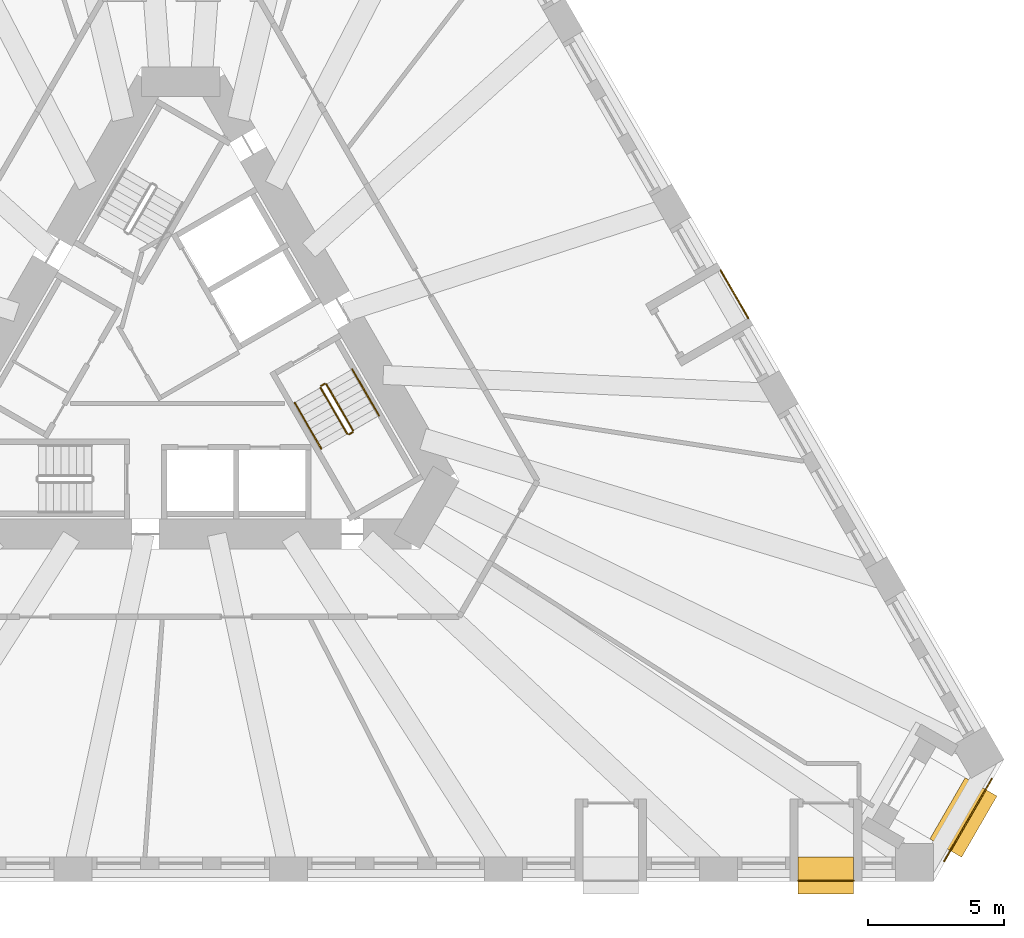
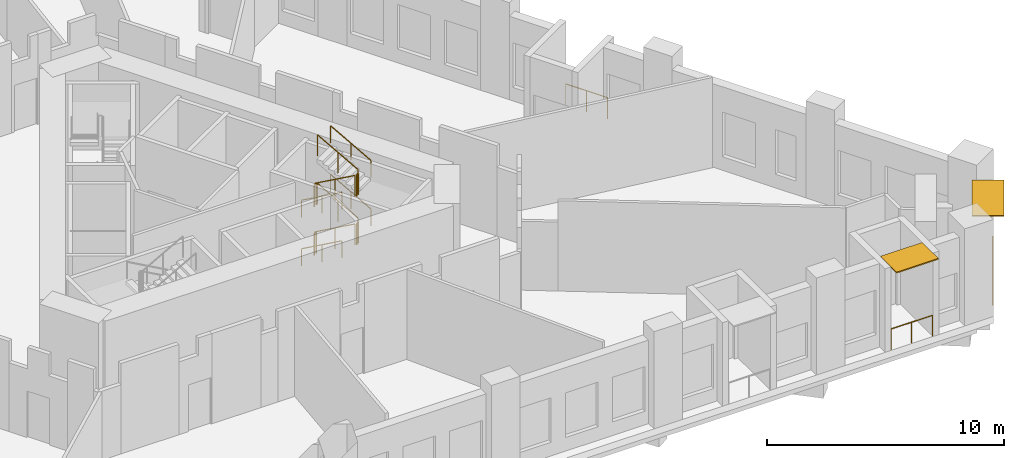
# One storey, part 11 of 12: 15 railings, 2 shading devices.
"""IFC4 building model written with IfcOpenShell, lengths in metres."""

from ifc_helpers import new_model, si_unit, direction, frame, origin, origin_2d, place, context, subcontext, project, spatial, rectangle, circle, extrude, material, layer, layer_set, type_object, element, save


model = new_model("IFC4")

# Units and contexts
model_context = context("Model", 3, precision=1e-05, world=origin(), true_north=direction((0.0, 1.0)))
body_context = subcontext(model_context, "Body", "Model", "MODEL_VIEW")
ifc_project = project(units=[si_unit("LENGTHUNIT", "METRE"), si_unit("AREAUNIT", "SQUARE_METRE"), si_unit("VOLUMEUNIT", "CUBIC_METRE"), si_unit("PLANEANGLEUNIT", "RADIAN"), si_unit("MASSUNIT", "GRAM", prefix="KILO")], contexts=[model_context])

# Site, building, storey
site_placement = place(None, origin())
site = spatial("IfcSite", under=ifc_project, at=site_placement, CompositionType="ELEMENT")
building_placement = place(site_placement, origin())
building = spatial("IfcBuilding", under=site, at=building_placement, Name="Tramontana Tower", CompositionType="ELEMENT")
storey_placement = place(building_placement, frame((0.0, 0.0, 25.0)))
storey = spatial("IfcBuildingStorey", under=building, at=storey_placement, Name="L04", CompositionType="ELEMENT", Elevation=25.0)

# Railings
ifc_material_1 = material(Name="Laminated glass balustrade", Category="glass")
railing_type_1 = type_object("IfcRailingType", Name="GD1 Loggia glass balustrade 1100", PredefinedType="BALUSTRADE", material=ifc_material_1)
railing_1_placement = place(storey_placement, frame((22.734130859375, -18.969970703125, 0.0)))
element("IfcRailing", 1, at=railing_1_placement, inside=storey, type_object=railing_type_1, Name="Loggia balustrade L04 G0S1.19", PredefinedType="BALUSTRADE", context=body_context, shape_type="SweptSolid", body=[
    extrude(circle(Radius=0.02392578125, at=origin_2d()), frame((0.0, 0.0, 1.076171875), z_axis=(1.0, 0.0, 0.0), x_axis=(0.0, 1.0, 0.0)), (0.0, 0.0, 1.0), 2.039306640625),
    extrude(circle(Radius=0.02099609375, at=origin_2d()), origin(), (0.0, 0.0, 1.0), 1.052001953125),
    extrude(circle(Radius=0.02099609375, at=origin_2d()), frame((1.01953125, 0.0, 0.0)), (0.0, 0.0, 1.0), 1.052001953125),
    extrude(circle(Radius=0.02099609375, at=origin_2d()), frame((2.039306640625, 0.0, 0.0)), (0.0, 0.0, 1.0), 1.052001953125),
])
railing_2_placement = place(storey_placement, frame((20.897216796875, 1.744873046875, 0.0)))
element("IfcRailing", 2, at=railing_2_placement, inside=storey, type_object=railing_type_1, Name="Loggia balustrade L04 G0S2.7", PredefinedType="BALUSTRADE", context=body_context, shape_type="SweptSolid", body=[
    extrude(circle(Radius=0.02392578125, at=origin_2d()), frame((0.0, 0.0, 1.076171875), z_axis=(-0.499950448838, 0.866054010271, 0.0), x_axis=(-0.866054010271, -0.499950448838, 0.0)), (0.0, 0.0, 1.0), 2.039306640625),
    extrude(circle(Radius=0.02099609375, at=origin_2d()), origin(), (0.0, 0.0, 1.0), 1.052001953125),
    extrude(circle(Radius=0.02099609375, at=origin_2d()), frame((-0.509765625, 0.883056640625, 0.0)), (0.0, 0.0, 1.0), 1.052001953125),
    extrude(circle(Radius=0.02099609375, at=origin_2d()), frame((-1.01953125, 1.76611328125, 0.0)), (0.0, 0.0, 1.0), 1.052001953125),
])
railing_3_placement = place(storey_placement, frame((29.86083984375, -15.219482421875, 0.0)))
element("IfcRailing", 3, at=railing_3_placement, inside=storey, type_object=railing_type_1, Name="Corner loggia balustrade L04 K02", PredefinedType="BALUSTRADE", context=body_context, shape_type="SweptSolid", body=[
    extrude(circle(Radius=0.02392578125, at=origin_2d()), frame((0.0, 0.0, 1.076171875), z_axis=(-0.500010275428, -0.866019471182, 0.0), x_axis=(0.866019471182, -0.500010275428, 0.0)), (0.0, 0.0, 1.0), 3.5),
    extrude(circle(Radius=0.02099609375, at=origin_2d()), origin(), (0.0, 0.0, 1.0), 1.052001953125),
    extrude(circle(Radius=0.02099609375, at=origin_2d()), frame((-0.583251953125, -1.01025390625, 0.0)), (0.0, 0.0, 1.0), 1.052001953125),
    extrude(circle(Radius=0.02099609375, at=origin_2d()), frame((-1.166748046875, -2.020751953125, 0.0)), (0.0, 0.0, 1.0), 1.052001953125),
    extrude(circle(Radius=0.02099609375, at=origin_2d()), frame((-1.75, -3.031005859375, 0.0)), (0.0, 0.0, 1.0), 1.052001953125),
])

# Shading devices
ifc_material_2 = material(Name="Precast concrete 60 MPa", Category="concrete")
ifc_layer_1 = layer(ifc_material_2, 0.06005859375)
ifc_layer_set_1 = layer_set([ifc_layer_1], Name="SS1 Stone sunshade blade 60")
shading_device_type_1 = type_object("IfcShadingDeviceType", Name="SS1 Stone sunshade blade 60", PredefinedType="USERDEFINED", material=ifc_layer_set_1)
shading_device_1_placement = place(storey_placement, frame((23.75390625, -18.77490234375, 4.239990234375), z_axis=(0.0, 0.0, 1.0), x_axis=(1.0, 0.0, 0.0)))
element("IfcShadingDevice", 4, at=shading_device_1_placement, inside=storey, type_object=shading_device_type_1, Name="Sunshade L04 G0S1.19", ObjectType="SUNSHADE", PredefinedType="USERDEFINED", context=body_context, shape_type="SweptSolid", body=[
    extrude(rectangle(XDim=2.039306640625, YDim=1.35009765625, at=origin_2d()), origin(), (0.0, 0.0, 1.0), 0.06005859375),
])
ifc_material_3 = material(Name="Precast concrete 60 MPa", Category="concrete")
ifc_layer_2 = layer(ifc_material_3, 0.070068359375)
ifc_layer_set_2 = layer_set([ifc_layer_2], Name="SS2 Stone sunshade blade 70")
shading_device_type_2 = type_object("IfcShadingDeviceType", Name="SS2 Stone sunshade blade 70", PredefinedType="USERDEFINED", material=ifc_layer_set_2)
shading_device_2_placement = place(storey_placement, frame((28.81689453125, -16.637451171875, 4.22998046875), z_axis=(0.0, 0.0, 1.0), x_axis=(-0.5, -0.866025403784, 0.0)))
element("IfcShadingDevice", 5, at=shading_device_2_placement, inside=storey, type_object=shading_device_type_2, Name="Corner sunshade L04 K02", ObjectType="SUNSHADE", PredefinedType="USERDEFINED", context=body_context, shape_type="SweptSolid", body=[
    extrude(rectangle(XDim=2.60009765625, YDim=1.35009765625, at=origin_2d()), origin(), (0.0, 0.0, 1.0), 0.070068359375),
])

# Railings
ifc_material_4 = material(Name="Painted steel", Category="steel")
railing_type_2 = type_object("IfcRailingType", Name="STAIR GUARD 1100", PredefinedType="GUARDRAIL", material=ifc_material_4)
railing_4_placement = place(storey_placement, frame((5.1474609375, -0.815673828125, 0.15625)))
element("IfcRailing", 6, at=railing_4_placement, inside=storey, type_object=railing_type_2, Name="L04 ST3 stair guard 1", PredefinedType="GUARDRAIL", context=body_context, shape_type="SweptSolid", body=[
    extrude(circle(Radius=0.02392578125, at=origin_2d()), frame((0.0, 0.0, 1.076171875), z_axis=(0.436632306331, -0.756220177781, 0.487322554151), x_axis=(0.866011328839, 0.500024377727, 0.0)), (0.0, 0.0, 1.0), 2.244384765625),
    extrude(circle(Radius=0.02099609375, at=origin_2d()), origin(), (0.0, 0.0, 1.0), 1.052001953125),
    extrude(circle(Radius=0.02099609375, at=origin_2d()), frame((0.489990234375, -0.8486328125, 0.546875)), (0.0, 0.0, 1.0), 1.052001953125),
    extrude(circle(Radius=0.02099609375, at=origin_2d()), frame((0.97998046875, -1.697265625, 1.09375)), (0.0, 0.0, 1.0), 1.052001953125),
])
railing_5_placement = place(storey_placement, frame((6.343994140625, -2.387939453125, 1.40625)))
element("IfcRailing", 7, at=railing_5_placement, inside=storey, type_object=railing_type_2, Name="L04 ST3 stair guard 2", PredefinedType="GUARDRAIL", context=body_context, shape_type="SweptSolid", body=[
    extrude(circle(Radius=0.02392578125, at=origin_2d()), frame((0.0, 0.0, 1.076171875), z_axis=(-0.436632306331, 0.756220177781, 0.487322554151), x_axis=(-0.866011328839, -0.500024377727, 0.0)), (0.0, 0.0, 1.0), 2.244384765625),
    extrude(circle(Radius=0.02099609375, at=origin_2d()), origin(), (0.0, 0.0, 1.0), 1.052001953125),
    extrude(circle(Radius=0.02099609375, at=origin_2d()), frame((-0.489990234375, 0.8486328125, 0.546875)), (0.0, 0.0, 1.0), 1.052001953125),
    extrude(circle(Radius=0.02099609375, at=origin_2d()), frame((-0.97998046875, 1.697265625, 1.09375)), (0.0, 0.0, 1.0), 1.052001953125),
])
railing_6_placement = place(storey_placement, frame((5.1474609375, -0.815673828125, 2.65625)))
element("IfcRailing", 8, at=railing_6_placement, inside=storey, type_object=railing_type_2, Name="L04 ST3 stair guard 3", PredefinedType="GUARDRAIL", context=body_context, shape_type="SweptSolid", body=[
    extrude(circle(Radius=0.02392578125, at=origin_2d()), frame((0.0, 0.0, 1.076171875), z_axis=(0.436632306331, -0.756220177781, 0.487322554151), x_axis=(0.866011328839, 0.500024377727, 0.0)), (0.0, 0.0, 1.0), 2.244384765625),
    extrude(circle(Radius=0.02099609375, at=origin_2d()), origin(), (0.0, 0.0, 1.0), 1.052001953125),
    extrude(circle(Radius=0.02099609375, at=origin_2d()), frame((0.489990234375, -0.8486328125, 0.546875)), (0.0, 0.0, 1.0), 1.052001953125),
    extrude(circle(Radius=0.02099609375, at=origin_2d()), frame((0.97998046875, -1.697265625, 1.09375)), (0.0, 0.0, 1.0), 1.052001953125),
])
railing_7_placement = place(storey_placement, frame((6.343994140625, -2.387939453125, 3.90625)))
element("IfcRailing", 9, at=railing_7_placement, inside=storey, type_object=railing_type_2, Name="L04 ST3 stair guard 4", PredefinedType="GUARDRAIL", context=body_context, shape_type="SweptSolid", body=[
    extrude(circle(Radius=0.02392578125, at=origin_2d()), frame((0.0, 0.0, 1.076171875), z_axis=(-0.436632306331, 0.756220177781, 0.487322554151), x_axis=(-0.866011328839, -0.500024377727, 0.0)), (0.0, 0.0, 1.0), 2.244384765625),
    extrude(circle(Radius=0.02099609375, at=origin_2d()), origin(), (0.0, 0.0, 1.0), 1.052001953125),
    extrude(circle(Radius=0.02099609375, at=origin_2d()), frame((-0.489990234375, 0.8486328125, 0.546875)), (0.0, 0.0, 1.0), 1.052001953125),
    extrude(circle(Radius=0.02099609375, at=origin_2d()), frame((-0.97998046875, 1.697265625, 1.09375)), (0.0, 0.0, 1.0), 1.052001953125),
])
for number, where, name in (
    (10, (6.19580078125, -2.53125, 1.25), "L04 ST3 stair guard 5"),
    (11, (5.165771484375, -0.747314453125, 2.5), "L04 ST3 stair guard 6"),
    (12, (6.19580078125, -2.53125, 3.75), "L04 ST3 stair guard 7"),
    (13, (5.165771484375, -0.747314453125, 0.0), "L04 ST3 stair guard 8"),
):
    element("IfcRailing", number, at=place(storey_placement, frame(where)), inside=storey, type_object=railing_type_2, Name=name, PredefinedType="GUARDRAIL", context=body_context, shape_type="SweptSolid", body=[
        extrude(circle(Radius=0.02392578125, at=origin_2d()), frame((0.0, 0.0, 1.076171875), z_axis=(0.866131372301, 0.499816412211, 0.0), x_axis=(-0.499816412211, 0.866131372301, 0.0)), (0.0, 0.0, 1.0), 0.14990234375),
        extrude(circle(Radius=0.02099609375, at=origin_2d()), origin(), (0.0, 0.0, 1.0), 1.052001953125),
        extrude(circle(Radius=0.02099609375, at=origin_2d()), frame((0.1298828125, 0.074951171875, 0.0)), (0.0, 0.0, 1.0), 1.052001953125),
    ])
ifc_material_5 = material(Name="Painted steel", Category="steel")
railing_type_3 = type_object("IfcRailingType", Name="STAIR HANDRAIL 900", PredefinedType="HANDRAIL", material=ifc_material_5)
railing_8_placement = place(storey_placement, frame((4.19482421875, -1.365478515625, 0.15625)))
element("IfcRailing", 14, at=railing_8_placement, inside=storey, type_object=railing_type_3, Name="L04 ST3 stair handrail 1", PredefinedType="HANDRAIL", context=body_context, shape_type="SweptSolid", body=[
    extrude(circle(Radius=0.02392578125, at=origin_2d()), frame((0.0, 0.0, 0.8759765625), z_axis=(0.436596390967, -0.756266742998, 0.487282469241), x_axis=(0.866042469362, 0.499970440388, 0.0)), (0.0, 0.0, 1.0), 2.24462890625),
    extrude(circle(Radius=0.02099609375, at=origin_2d()), origin(), (0.0, 0.0, 1.0), 0.851806640625),
    extrude(circle(Radius=0.02099609375, at=origin_2d()), frame((0.489990234375, -0.8486328125, 0.546875)), (0.0, 0.0, 1.0), 0.851806640625),
    extrude(circle(Radius=0.02099609375, at=origin_2d()), frame((0.97998046875, -1.697509765625, 1.09375)), (0.0, 0.0, 1.0), 0.851806640625),
])
railing_9_placement = place(storey_placement, frame((7.296630859375, -1.837890625, 1.40625)))
element("IfcRailing", 15, at=railing_9_placement, inside=storey, type_object=railing_type_3, Name="L04 ST3 stair handrail 2", PredefinedType="HANDRAIL", context=body_context, shape_type="SweptSolid", body=[
    extrude(circle(Radius=0.02392578125, at=origin_2d()), frame((0.0, 0.0, 0.8759765625), z_axis=(-0.436632306331, 0.756220177781, 0.487322554151), x_axis=(-0.866011328839, -0.500024377727, 0.0)), (0.0, 0.0, 1.0), 2.244384765625),
    extrude(circle(Radius=0.02099609375, at=origin_2d()), origin(), (0.0, 0.0, 1.0), 0.851806640625),
    extrude(circle(Radius=0.02099609375, at=origin_2d()), frame((-0.489990234375, 0.8486328125, 0.546875)), (0.0, 0.0, 1.0), 0.851806640625),
    extrude(circle(Radius=0.02099609375, at=origin_2d()), frame((-0.97998046875, 1.697265625, 1.09375)), (0.0, 0.0, 1.0), 0.851806640625),
])
railing_10_placement = place(storey_placement, frame((4.19482421875, -1.365478515625, 2.65625)))
element("IfcRailing", 16, at=railing_10_placement, inside=storey, type_object=railing_type_3, Name="L04 ST3 stair handrail 3", PredefinedType="HANDRAIL", context=body_context, shape_type="SweptSolid", body=[
    extrude(circle(Radius=0.02392578125, at=origin_2d()), frame((0.0, 0.0, 0.8759765625), z_axis=(0.436596390967, -0.756266742998, 0.487282469241), x_axis=(0.866042469362, 0.499970440388, 0.0)), (0.0, 0.0, 1.0), 2.24462890625),
    extrude(circle(Radius=0.02099609375, at=origin_2d()), origin(), (0.0, 0.0, 1.0), 0.851806640625),
    extrude(circle(Radius=0.02099609375, at=origin_2d()), frame((0.489990234375, -0.8486328125, 0.546875)), (0.0, 0.0, 1.0), 0.851806640625),
    extrude(circle(Radius=0.02099609375, at=origin_2d()), frame((0.97998046875, -1.697509765625, 1.09375)), (0.0, 0.0, 1.0), 0.851806640625),
])
railing_11_placement = place(storey_placement, frame((7.296630859375, -1.837890625, 3.90625)))
element("IfcRailing", 17, at=railing_11_placement, inside=storey, type_object=railing_type_3, Name="L04 ST3 stair handrail 4", PredefinedType="HANDRAIL", context=body_context, shape_type="SweptSolid", body=[
    extrude(circle(Radius=0.02392578125, at=origin_2d()), frame((0.0, 0.0, 0.8759765625), z_axis=(-0.436632306331, 0.756220177781, 0.487322554151), x_axis=(-0.866011328839, -0.500024377727, 0.0)), (0.0, 0.0, 1.0), 2.244384765625),
    extrude(circle(Radius=0.02099609375, at=origin_2d()), origin(), (0.0, 0.0, 1.0), 0.851806640625),
    extrude(circle(Radius=0.02099609375, at=origin_2d()), frame((-0.489990234375, 0.8486328125, 0.546875)), (0.0, 0.0, 1.0), 0.851806640625),
    extrude(circle(Radius=0.02099609375, at=origin_2d()), frame((-0.97998046875, 1.697265625, 1.09375)), (0.0, 0.0, 1.0), 0.851806640625),
])

save(model, "model.ifc")
